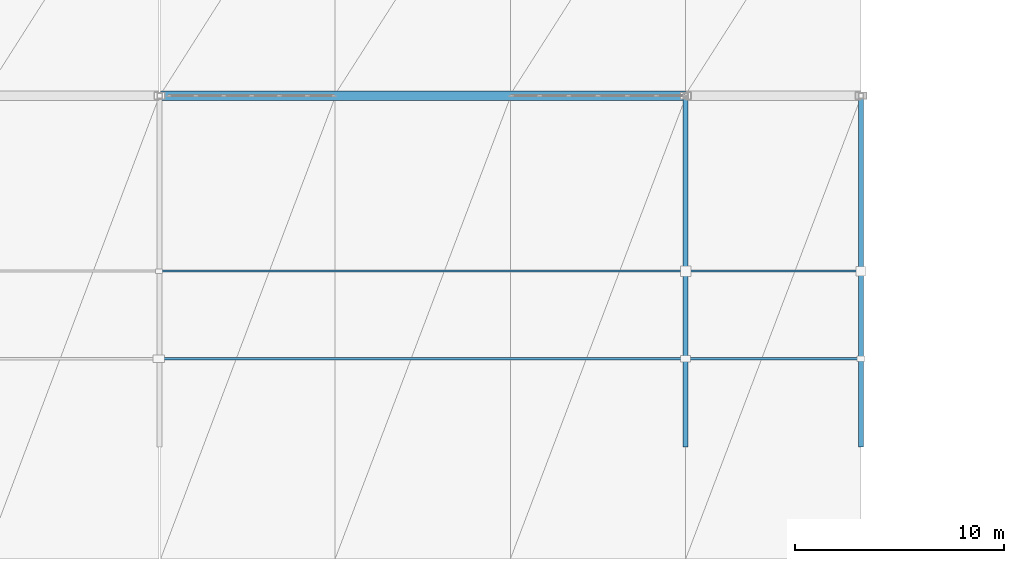
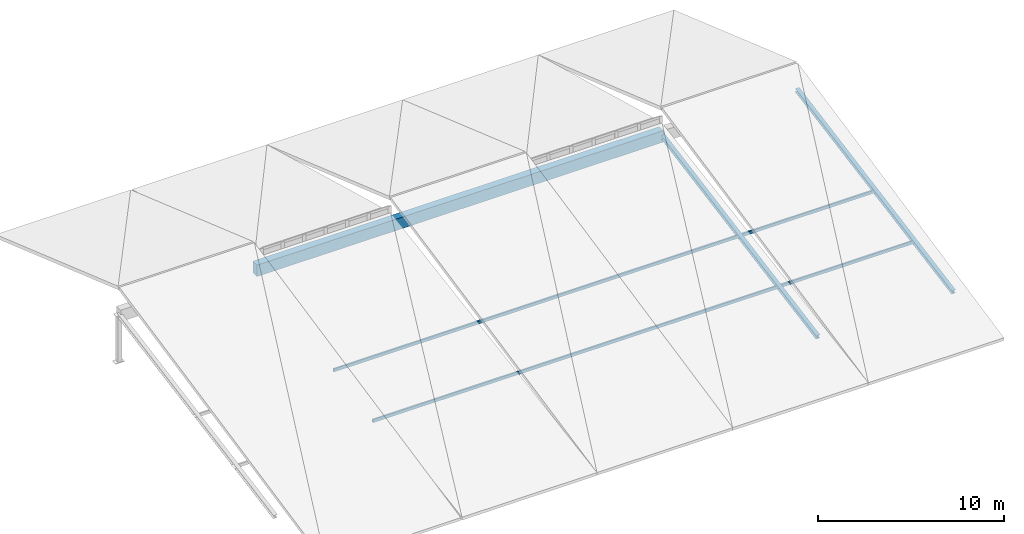
# One storey, part 43 of 76: 6 members, 1 beam.
"""IFC4 building model written with IfcOpenShell, lengths in metres."""

from ifc_helpers import new_model, si_unit, direction, frame, origin, origin_2d, place, context, subcontext, project, spatial, rectangle, hollow_rectangle, i_section, extrude, material, material_profile, profile_set, type_object, element, save


model = new_model("IFC4")

# Units and contexts
model_context = context("Model", 3, precision=1e-05, world=origin(), true_north=direction((0.0, 1.0)))
body_context = subcontext(model_context, "Body", "Model", "MODEL_VIEW")
ifc_project = project(units=[si_unit("LENGTHUNIT", "METRE"), si_unit("AREAUNIT", "SQUARE_METRE"), si_unit("VOLUMEUNIT", "CUBIC_METRE"), si_unit("PLANEANGLEUNIT", "RADIAN"), si_unit("MASSUNIT", "GRAM", prefix="KILO")], contexts=[model_context])

# Site, building, storey
site_placement = place(None, origin())
site = spatial("IfcSite", under=ifc_project, at=site_placement, CompositionType="ELEMENT")
building_placement = place(site_placement, origin())
building = spatial("IfcBuilding", under=site, at=building_placement, Name="Krzemoval Escarpment Law Courts", CompositionType="ELEMENT")
storey_placement = place(building_placement, frame((0.0, 0.0, 20.39990234375)))
storey = spatial("IfcBuildingStorey", under=building, at=storey_placement, Name="L04", CompositionType="ELEMENT", Elevation=20.39990234375)

# Beam
ifc_material_1 = material(Name="Concrete C50/60", Category="concrete")
ifc_material_profile_1 = material_profile(ifc_material_1, rectangle(XDim=0.449951171875, YDim=0.75, at=origin_2d()), Name="FPR 450x750")
ifc_profile_set_1 = profile_set([ifc_material_profile_1], Name="Concrete C50/60")
beam_type = type_object("IfcBeamType", Name="BM-FPR-450x750", PredefinedType="BEAM", material=ifc_profile_set_1)
beam_placement = place(storey_placement, frame((117.639892578125, 22.199951171875, 2.800048828125), z_axis=(1.0, 0.0, 0.0), x_axis=(0.0, 1.0, 0.0)))
element("IfcBeam", 1, at=beam_placement, inside=storey, type_object=beam_type, Name="Library Clerestory Beam RB-2829", PredefinedType="BEAM", context=body_context, shape_type="SweptSolid", body=[
    extrude(rectangle(XDim=0.449951171875, YDim=0.75, at=origin_2d()), origin(), (0.0, 0.0, 1.0), 25.16015625),
])

# Members
ifc_material_2 = material(Name="Steel S355", Category="steel")
ifc_material_profile_2 = material_profile(ifc_material_2, hollow_rectangle(XDim=0.10009765625, YDim=0.199951171875, WallThickness=0.008056640625, at=origin_2d()), Name="RHS 200x100x8")
ifc_profile_set_2 = profile_set([ifc_material_profile_2], Name="Steel S355")
member_type_1 = type_object("IfcMemberType", Name="MBR-PUR-RHS200", PredefinedType="PURLIN", material=ifc_profile_set_2)
member_1_placement = place(storey_placement, frame((117.639892578125, 13.800048828125, 1.260009765625), z_axis=(1.0, 0.0, 0.0), x_axis=(0.0, 1.0, 0.0)))
element("IfcMember", 2, at=member_1_placement, inside=storey, type_object=member_type_1, Name="Library Roof Purlin PR-0090", PredefinedType="PURLIN", context=body_context, shape_type="SweptSolid", body=[
    extrude(hollow_rectangle(XDim=0.10009765625, YDim=0.199951171875, WallThickness=0.008056640625, at=origin_2d()), origin(), (0.0, 0.0, 1.0), 25.16015625),
])
member_2_placement = place(storey_placement, frame((142.800048828125, 13.800048828125, 1.260009765625), z_axis=(1.0, 0.0, 0.0), x_axis=(0.0, 1.0, 0.0)))
element("IfcMember", 3, at=member_2_placement, inside=storey, type_object=member_type_1, Name="Library Roof Purlin PR-0091", PredefinedType="PURLIN", context=body_context, shape_type="SweptSolid", body=[
    extrude(hollow_rectangle(XDim=0.10009765625, YDim=0.199951171875, WallThickness=0.008056640625, at=origin_2d()), origin(), (0.0, 0.0, 1.0), 8.39990234375),
])
member_3_placement = place(storey_placement, frame((117.639892578125, 9.60009765625, 0.489990234375), z_axis=(1.0, 0.0, 0.0), x_axis=(0.0, 1.0, 0.0)))
element("IfcMember", 4, at=member_3_placement, inside=storey, type_object=member_type_1, Name="Library Roof Purlin PR-0093", PredefinedType="PURLIN", context=body_context, shape_type="SweptSolid", body=[
    extrude(hollow_rectangle(XDim=0.10009765625, YDim=0.199951171875, WallThickness=0.008056640625, at=origin_2d()), origin(), (0.0, 0.0, 1.0), 25.16015625),
])
member_4_placement = place(storey_placement, frame((142.800048828125, 9.60009765625, 0.489990234375), z_axis=(1.0, 0.0, 0.0), x_axis=(0.0, 1.0, 0.0)))
element("IfcMember", 5, at=member_4_placement, inside=storey, type_object=member_type_1, Name="Library Roof Purlin PR-0094", PredefinedType="PURLIN", context=body_context, shape_type="SweptSolid", body=[
    extrude(hollow_rectangle(XDim=0.10009765625, YDim=0.199951171875, WallThickness=0.008056640625, at=origin_2d()), origin(), (0.0, 0.0, 1.0), 8.39990234375),
])
ifc_material_3 = material(Name="Steel S355", Category="steel")
ifc_material_profile_3 = material_profile(ifc_material_3, i_section(OverallWidth=0.239990234375, OverallDepth=0.239990234375, WebThickness=0.010009765625, FlangeThickness=0.01708984375, at=origin_2d()), Name="HEB 240")
ifc_profile_set_3 = profile_set([ifc_material_profile_3], Name="Steel S355")
member_type_2 = type_object("IfcMemberType", Name="MBR-RAF-HEB240", PredefinedType="RAFTER", material=ifc_profile_set_3)
for number, where, z_axis, x_axis, name in (
    (6, (142.800048828125, 5.39990234375, -0.27978515625), (0.0, 0.98360837432, 0.180317957974), (-1.0, 0.0, 0.0), "Library Roof Rafter LRF-0087"),
    (7, (151.199951171875, 5.39990234375, -0.27978515625), (0.0, 0.98360837432, 0.180317957974), (-1.0, 0.0, 0.0), "Library Roof Rafter LRF-0088"),
):
    element("IfcMember", number, at=place(storey_placement, frame(where, z_axis=z_axis, x_axis=x_axis)), inside=storey, type_object=member_type_2, Name=name, PredefinedType="RAFTER", context=body_context, shape_type="SweptSolid", body=[
        extrude(i_section(OverallWidth=0.239990234375, OverallDepth=0.239990234375, WebThickness=0.010009765625, FlangeThickness=0.01708984375, at=origin_2d()), origin(), (0.0, 0.0, 1.0), 17.080078125),
    ])

save(model, "model.ifc")
